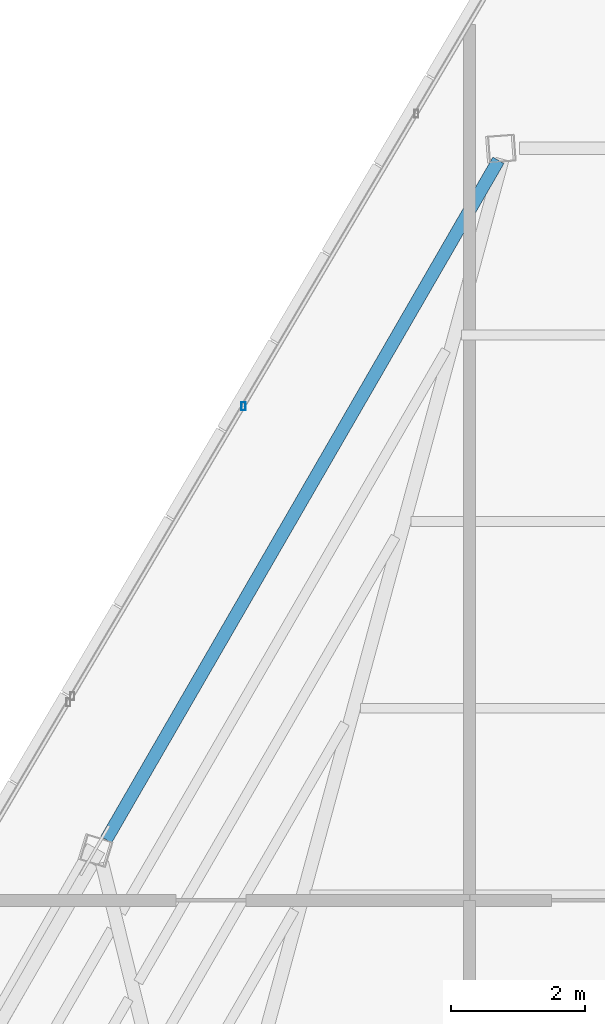
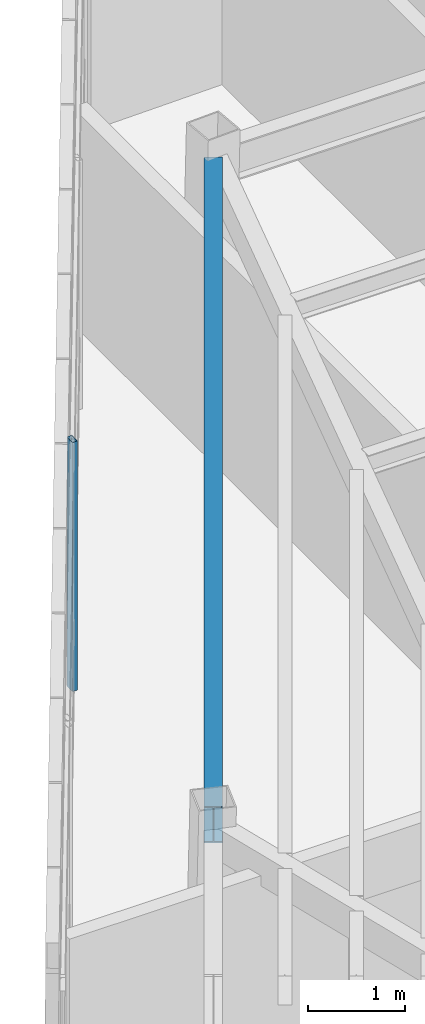
# One storey, part 32 of 44: 1 beam, 1 member, 1 element without a shape of its own.
"""IFC4 building model written with IfcOpenShell, lengths in metres."""

import ifcopenshell
import ifcopenshell.guid

model = None  # the IFC model being written
_history = None  # IfcOwnerHistory: only IFC2X3 demands one
_inside = {}  # id of a spatial element -> (the spatial element, [elements in it])
_under = {}  # id of a project, library or spatial element -> (it, [spatial elements below it])
_declared = {}  # id of a project -> (the project, [libraries it declares])
_typed = {}  # id of a type object -> (the type object, [elements of that type])
_made_of = {}  # id of a material, layer set ... -> (it, [elements and type objects made of it])


def new_model(schema):
    """Start an empty IFC model of exactly this schema.

    Asked for "IFC4X3", IfcOpenShell would pick the latest addendum, in which some entities
    have other attributes; the version numbers below select the first issue.
    IFC2X3 requires an IfcOwnerHistory on every rooted entity: one is made here for all.
    """
    global model, _history
    if schema == "IFC4X3":
        model = ifcopenshell.file(schema_version=(4, 3, 0, 0))
    else:
        model = ifcopenshell.file(schema=schema)
    _inside.clear()
    _under.clear()
    _declared.clear()
    _typed.clear()
    _made_of.clear()
    _history = None
    if model.schema == "IFC2X3":
        org = make("IfcOrganization", Name="unknown")
        user = make(
            "IfcPersonAndOrganization",
            ThePerson=make("IfcPerson", FamilyName="unknown"),
            TheOrganization=org,
        )
        app = make(
            "IfcApplication",
            ApplicationDeveloper=org,
            Version="unknown",
            ApplicationFullName="unknown",
            ApplicationIdentifier="unknown",
        )
        _history = make(
            "IfcOwnerHistory",
            OwningUser=user,
            OwningApplication=app,
            ChangeAction="ADDED",
            CreationDate=0,
        )
    return model


def make(cls, **values):
    """One entity of the class cls with the attributes given. An attribute that is None is left unset."""
    return model.create_entity(
        cls, **{name: value for name, value in values.items() if value is not None}
    )


def rooted(cls, **values):
    """An entity with a GlobalId (a new one), such as an element, a storey or a relation."""
    return make(cls, GlobalId=ifcopenshell.guid.new(), OwnerHistory=_history, **values)


def si_unit(unit_type, name, prefix=None):
    """IfcSIUnit, for example si_unit("LENGTHUNIT", "METRE", prefix="MILLI")."""
    return make("IfcSIUnit", UnitType=unit_type, Prefix=prefix, Name=name)


def assignment(units):
    """IfcUnitAssignment: the units of a project."""
    return None if units is None else make("IfcUnitAssignment", Units=units)


def point(xyz):
    """IfcCartesianPoint."""
    return None if xyz is None else make("IfcCartesianPoint", Coordinates=xyz)


def direction(xyz):
    """IfcDirection."""
    return None if xyz is None else make("IfcDirection", DirectionRatios=xyz)


def frame(location, z_axis=None, x_axis=None):
    """IfcAxis2Placement3D, a coordinate frame: its origin and axes. An axis left out is left unset."""
    return make(
        "IfcAxis2Placement3D",
        Location=point(location),
        Axis=direction(z_axis),
        RefDirection=direction(x_axis),
    )


def frame_2d(location, x_axis=None):
    """IfcAxis2Placement2D, a coordinate frame in the plane: its origin and x axis."""
    return make(
        "IfcAxis2Placement2D", Location=point(location), RefDirection=direction(x_axis)
    )


def origin():
    """The frame at (0, 0, 0) with its axes left unset."""
    return frame((0.0, 0.0, 0.0))


def origin_2d():
    """The frame at (0, 0) in the plane with its x axis left unset."""
    return frame_2d((0.0, 0.0))


def place(relative_to, where):
    """IfcLocalPlacement: puts the frame where relative to a parent placement (None: the world)."""
    return make(
        "IfcLocalPlacement", PlacementRelTo=relative_to, RelativePlacement=where
    )


def context(
    kind, dimensions, precision=None, world=None, true_north=None, identifier=None
):
    """IfcGeometricRepresentationContext, for example the 3D "Model" context."""
    return make(
        "IfcGeometricRepresentationContext",
        ContextIdentifier=identifier,
        ContextType=kind,
        CoordinateSpaceDimension=dimensions,
        Precision=precision,
        WorldCoordinateSystem=world,
        TrueNorth=true_north,
    )


def subcontext(parent, identifier, kind, view, scale=None):
    """IfcGeometricRepresentationSubContext, for example "Body" below "Model"."""
    return make(
        "IfcGeometricRepresentationSubContext",
        ContextIdentifier=identifier,
        ContextType=kind,
        ParentContext=parent,
        TargetScale=scale,
        TargetView=view,
    )


def project(units=None, contexts=None):
    """IfcProject with its units and contexts."""
    return rooted(
        "IfcProject",
        Name="project",
        RepresentationContexts=contexts,
        UnitsInContext=assignment(units),
    )


def spatial(cls, under=None, at=None, **own):
    """A site, building, storey or space (cls), placed at a placement, below another one or the project."""
    s = rooted(cls, ObjectPlacement=at, **own)
    if under is not None:
        _under.setdefault(under.id(), (under, []))[1].append(s)
    return s


def profile(cls, at=None, kind="AREA", **sizes):
    """A parametric profile (cls). Its sizes go by their IFC names, for example OverallWidth=200.0."""
    return make(cls, ProfileType=kind, Position=at, **sizes)


def hollow_rectangle(**sizes):
    """IfcRectangleHollowProfileDef."""
    return profile("IfcRectangleHollowProfileDef", **sizes)


def i_section(**sizes):
    """IfcIShapeProfileDef."""
    return profile("IfcIShapeProfileDef", **sizes)


def extrude(swept, where, along, depth):
    """IfcExtrudedAreaSolid: the profile swept, set in the frame where, extruded along a direction by depth."""
    return make(
        "IfcExtrudedAreaSolid",
        SweptArea=swept,
        Position=where,
        ExtrudedDirection=direction(along),
        Depth=depth,
    )


def shape(context_of_items, identifier, shape_type, items):
    """IfcShapeRepresentation: the items that make up one representation, for example the "Body"."""
    return make(
        "IfcShapeRepresentation",
        ContextOfItems=context_of_items,
        RepresentationIdentifier=identifier,
        RepresentationType=shape_type,
        Items=items,
    )


def source(mapping_origin, context_of_items, identifier, shape_type, items):
    """IfcRepresentationMap: a shape defined once, which mapped items show again and again."""
    return make(
        "IfcRepresentationMap",
        MappingOrigin=mapping_origin,
        MappedRepresentation=shape(context_of_items, identifier, shape_type, items),
    )


def transform(
    local_origin,
    x_axis=None,
    y_axis=None,
    z_axis=None,
    scale=None,
    scale2=None,
    scale3=None,
    uniform=True,
):
    """IfcCartesianTransformationOperator3D, or its non-uniform kind. x_axis, y_axis, z_axis: its Axis1, 2, 3."""
    if uniform:
        return make(
            "IfcCartesianTransformationOperator3D",
            Axis1=direction(x_axis),
            Axis2=direction(y_axis),
            LocalOrigin=point(local_origin),
            Scale=scale,
            Axis3=direction(z_axis),
        )
    return make(
        "IfcCartesianTransformationOperator3DnonUniform",
        Axis1=direction(x_axis),
        Axis2=direction(y_axis),
        LocalOrigin=point(local_origin),
        Scale=scale,
        Axis3=direction(z_axis),
        Scale2=scale2,
        Scale3=scale3,
    )


def mapped(mapping_source, mapping_target):
    """IfcMappedItem: shows the shape of a source again, moved by a transform."""
    return make(
        "IfcMappedItem", MappingSource=mapping_source, MappingTarget=mapping_target
    )


def material(Name=None, Category=None):
    """IfcMaterial."""
    return make("IfcMaterial", Name=Name, Category=Category)


def material_profile(
    of_material, cross_section, Name=None, Category=None, Priority=None
):
    """IfcMaterialProfile: a cross section and its material."""
    return make(
        "IfcMaterialProfile",
        Name=Name,
        Material=of_material,
        Profile=cross_section,
        Priority=Priority,
        Category=Category,
    )


def profile_set(profiles, Name=None, composite=None):
    """IfcMaterialProfileSet."""
    return make(
        "IfcMaterialProfileSet",
        Name=Name,
        MaterialProfiles=profiles,
        CompositeProfile=composite,
    )


def made_of(thing, what):
    """Note that an element or type object is made of a material, layer set ...; save() writes the relation."""
    if what is not None:
        _made_of.setdefault(what.id(), (what, []))[1].append(thing)
    return thing


def type_object(cls, material=None, **own):
    """A type object (cls), such as IfcWallType, which elements share."""
    return made_of(rooted(cls, **own), material)


def type_shapes(of_type, sources):
    """Give a type object the sources (RepresentationMaps) that its elements show as mapped items."""
    of_type.RepresentationMaps = sources


def element(
    cls,
    number,
    at=None,
    inside=None,
    cuts=None,
    type_object=None,
    material=None,
    context=None,
    identifier="Body",
    shape_type=None,
    held_by="IfcProductDefinitionShape",
    body=None,
    shapes=None,
    **own,
):
    """One element of the class cls, such as IfcWall. Its Tag is "e" and its number.

    at: its placement. inside: the storey or other place that contains it. cuts: it is an
    opening in that element (IfcRelVoidsElement). A single representation is given by context,
    identifier, shape_type and body (its items); several are given by shapes. held_by: the class
    of the entity that holds the representations. save() writes the other relations.
    """
    e = rooted(cls, Tag="e%d" % number, ObjectPlacement=at, **own)
    if body is not None:
        shapes = [shape(context, identifier, shape_type, body)]
    if shapes is not None:
        e.Representation = make(held_by, Representations=shapes)
    if inside is not None:
        _inside.setdefault(inside.id(), (inside, []))[1].append(e)
    if cuts is not None:
        rooted(
            "IfcRelVoidsElement", RelatingBuildingElement=cuts, RelatedOpeningElement=e
        )
    if type_object is not None:
        _typed.setdefault(type_object.id(), (type_object, []))[1].append(e)
    return made_of(e, material)


def aggregate(whole, parts):
    """IfcRelAggregates: a whole, such as a stair, and the parts it consists of."""
    return rooted("IfcRelAggregates", RelatingObject=whole, RelatedObjects=parts)


def save(model, path):
    """Write the relations noted so far, then the file.

    IfcRelAggregates (storeys below a building ...), IfcRelContainedInSpatialStructure (elements
    in a storey), IfcRelDefinesByType, IfcRelAssociatesMaterial and IfcRelDeclares: one each for
    every whole, place, type object, material and project.
    """
    for whole, parts in _under.values():
        aggregate(whole, parts)
    for where, things in _inside.values():
        rooted(
            "IfcRelContainedInSpatialStructure",
            RelatedElements=things,
            RelatingStructure=where,
        )
    for kind, things in _typed.values():
        rooted("IfcRelDefinesByType", RelatedObjects=things, RelatingType=kind)
    for what, things in _made_of.values():
        rooted("IfcRelAssociatesMaterial", RelatedObjects=things, RelatingMaterial=what)
    for by, libraries in _declared.values():
        rooted("IfcRelDeclares", RelatingContext=by, RelatedDefinitions=libraries)
    model.write(path)


model = new_model("IFC4")

# Units and contexts
model_context = context("Model", 3, precision=1e-05, world=origin(), true_north=direction((0.0, 1.0)))
body_context = subcontext(model_context, "Body", "Model", "MODEL_VIEW")
ifc_project = project(units=[si_unit("LENGTHUNIT", "METRE"), si_unit("AREAUNIT", "SQUARE_METRE"), si_unit("VOLUMEUNIT", "CUBIC_METRE"), si_unit("PLANEANGLEUNIT", "RADIAN"), si_unit("MASSUNIT", "GRAM", prefix="KILO")], contexts=[model_context])

# Site, building, storey
site_placement = place(None, origin())
site = spatial("IfcSite", under=ifc_project, at=site_placement, CompositionType="ELEMENT")
building_placement = place(site_placement, origin())
building = spatial("IfcBuilding", under=site, at=building_placement, Name="Caelisora Broadcast Tower", CompositionType="ELEMENT")
storey_placement = place(building_placement, frame((0.0, 0.0, 289.800048828125)))
storey = spatial("IfcBuildingStorey", under=building, at=storey_placement, Name="L76", CompositionType="ELEMENT", Elevation=289.800048828125)

# Beam
ifc_material_1 = material(Name="Steel Grade 350 (AS/NZS 3679.1)", Category="steel")
ifc_material_profile_1 = material_profile(ifc_material_1, i_section(OverallWidth=0.19091796875, OverallDepth=0.46044921875, WebThickness=0.010009765625, FlangeThickness=0.01611328125, at=origin_2d()), Name="Steel Grade 350 (AS/NZS 3679.1)")
ifc_profile_set_1 = profile_set([ifc_material_profile_1], Name="Steel Grade 350 (AS/NZS 3679.1)")
beam_type = type_object("IfcBeamType", Name="PG06", PredefinedType="BEAM", material=ifc_profile_set_1)
shared_shape_1 = source(origin(), body_context, "Body", "SweptSolid", [
    extrude(i_section(OverallWidth=0.19091796875, OverallDepth=0.46044921875, WebThickness=0.010009765625, FlangeThickness=0.01611328125, at=origin_2d()), origin(), (0.0, 0.0, 1.0), 11.723876953125),
])
type_shapes(beam_type, [shared_shape_1])
beam_placement = place(storey_placement, frame((34.92919921875, 46.559326171875, 2.919677734375), z_axis=(-0.500011469263, -0.866018781901, 0.0), x_axis=(0.866018781901, -0.500011469263, 0.0)))
element("IfcBeam", 1, at=beam_placement, inside=storey, type_object=beam_type, Name="L76 beam PG06", PredefinedType="BEAM", context=body_context, shape_type="MappedRepresentation", body=[
    mapped(shared_shape_1, transform((0.0, 0.0, 0.0), scale=1.0)),
])

# Curtain wall, member
ifc_material_2 = material(Name="Unitised Aluminium Insulated Shadow-Box Spandrel Curtain Wall", Category="aluminium")
curtain_wall_type = type_object("IfcCurtainWallType", Name="CW-SP3", PredefinedType="NOTDEFINED", material=ifc_material_2)
curtain_wall_placement = place(storey_placement, origin())
curtain_wall = element("IfcCurtainWall", 2, at=curtain_wall_placement, inside=storey, type_object=curtain_wall_type, Name="L76 curtain wall CW-SP3", PredefinedType="NOTDEFINED")
ifc_material_3 = material(Name="Aluminium 6063-T6 Anodised Terracotta Bronze", Category="aluminium")
ifc_material_profile_2 = material_profile(ifc_material_3, hollow_rectangle(XDim=0.06005859375, YDim=0.1201171875, WallThickness=0.0029296875, at=origin_2d()), Name="Aluminium 6063-T6 Anodised Terracotta Bronze")
ifc_profile_set_2 = profile_set([ifc_material_profile_2], Name="Aluminium 6063-T6 Anodised Terracotta Bronze")
member_type = type_object("IfcMemberType", Name="CWM-04", PredefinedType="MULLION", material=ifc_profile_set_2)
shared_shape_2 = source(origin(), body_context, "Body", "SweptSolid", [
    extrude(hollow_rectangle(XDim=0.06005859375, YDim=0.1201171875, WallThickness=0.0029296875, at=origin_2d()), origin(), (0.0, 0.0, 1.0), 3.14990234375),
])
type_shapes(member_type, [shared_shape_2])
member_placement = place(storey_placement, frame((31.119384765625, 42.88427734375, 0.0), z_axis=(0.0, 0.0, 1.0), x_axis=(1.0, 0.0, 0.0)))
member = element("IfcMember", 3, at=member_placement, type_object=member_type, Name="L76-CW-B11 mullion #1", PredefinedType="MULLION", context=body_context, shape_type="MappedRepresentation", body=[
    mapped(shared_shape_2, transform((0.0, 0.0, 0.0), scale=1.0)),
])
aggregate(curtain_wall, [member])

save(model, "model.ifc")
